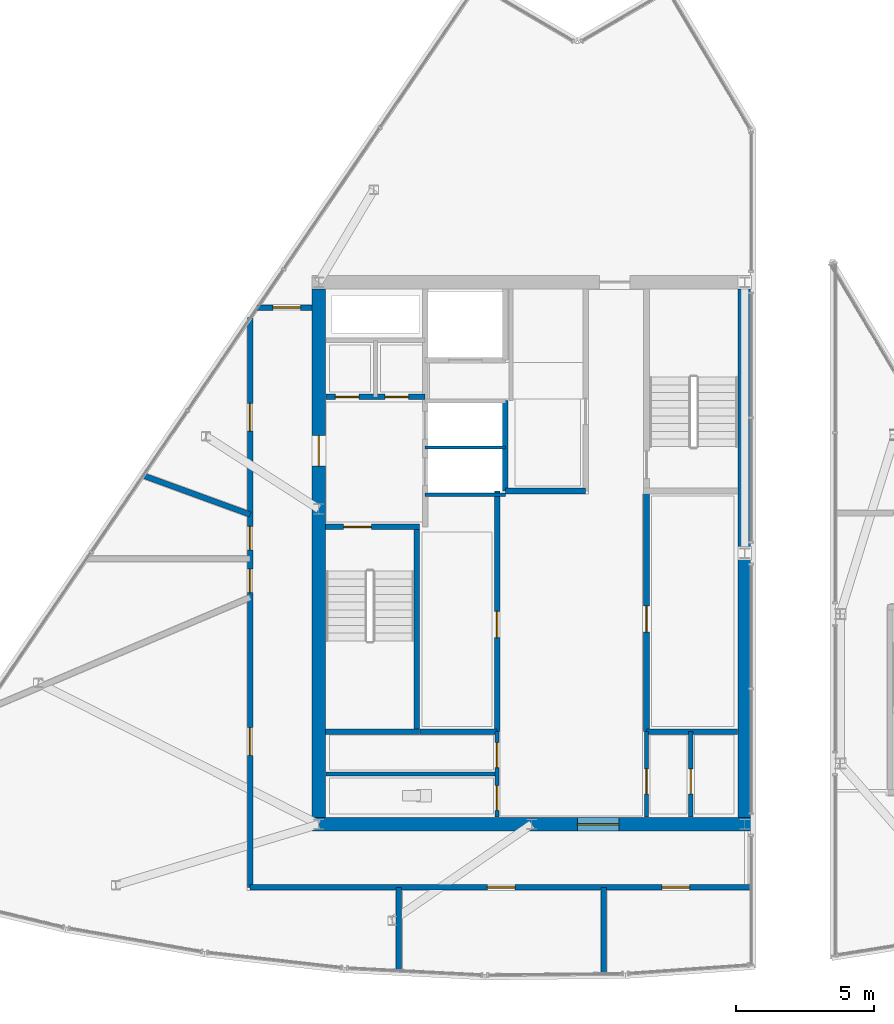
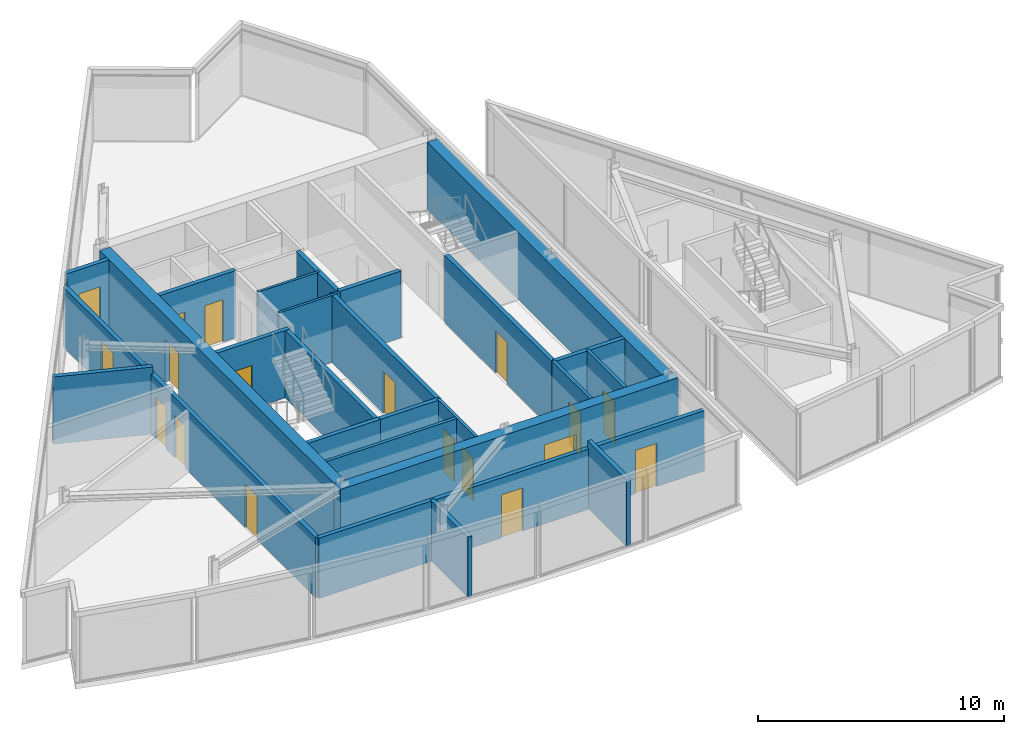
# One storey, part 9 of 15: 25 walls, 18 doors, 18 openings.
"""IFC4 building model written with IfcOpenShell, lengths in metres."""

from ifc_helpers import new_model, si_unit, direction, frame, frame_2d, origin, place, context, subcontext, project, spatial, rectangle, extrude, material, layer, layer_set, type_object, element, fill, save


model = new_model("IFC4")

# Units and contexts
model_context = context("Model", 3, precision=1e-05, world=origin(), true_north=direction((0.0, 1.0)))
body_context = subcontext(model_context, "Body", "Model", "MODEL_VIEW")
ifc_project = project(units=[si_unit("LENGTHUNIT", "METRE"), si_unit("AREAUNIT", "SQUARE_METRE"), si_unit("VOLUMEUNIT", "CUBIC_METRE"), si_unit("PLANEANGLEUNIT", "RADIAN"), si_unit("MASSUNIT", "GRAM", prefix="KILO")], contexts=[model_context])

# Site, building, storey
site_placement = place(None, origin())
site = spatial("IfcSite", under=ifc_project, at=site_placement, CompositionType="ELEMENT")
building_placement = place(site_placement, origin())
building = spatial("IfcBuilding", under=site, at=building_placement, Name="Savorim Split Tower", CompositionType="ELEMENT")
storey_placement = place(building_placement, frame((0.0, 0.0, 308.39990234375)))
storey = spatial("IfcBuildingStorey", under=building, at=storey_placement, Name="Crown L82 Plant", CompositionType="ELEMENT", Elevation=308.39990234375)

# Wall, opening, door
ifc_material_1 = material(Name="Concrete C60/75", Category="concrete")
ifc_layer_1 = layer(ifc_material_1, 0.5)
ifc_layer_set_1 = layer_set([ifc_layer_1], Name="WAL-COR-SH500")
wall_type_1 = type_object("IfcWallType", Name="WAL-COR-SH500", PredefinedType="SHEAR", material=ifc_layer_set_1)
wall_1_placement = place(storey_placement, frame((-7.949951171875, -9.39990234375, 0.0), z_axis=(0.0, 0.0, 1.0), x_axis=(1.0, 0.0, 0.0)))
wall_1 = element("IfcWall", 1, at=wall_1_placement, inside=storey, type_object=wall_type_1, Name="Crown L82 Plant Offset Core South Shear Wall", PredefinedType="SHEAR", context=body_context, shape_type="SweptSolid", body=[
    extrude(rectangle(XDim=15.89990234375, YDim=0.5, at=frame_2d((7.949951171875, 0.0))), origin(), (0.0, 0.0, 1.0), 3.340087890625),
])
opening_1_placement = place(wall_1_placement, frame((9.60009765625, 0.0, 0.0)))
opening_1 = element("IfcOpeningElement", 2, at=opening_1_placement, cuts=wall_1, Name="Opening DI-02", PredefinedType="OPENING", context=body_context, shape_type="SweptSolid", body=[
    extrude(rectangle(XDim=1.5, YDim=2.199951171875, at=frame_2d((0.75, 1.10009765625))), frame((0.0, 0.260009765625, 0.0), z_axis=(0.0, -1.0, 0.0), x_axis=(1.0, 0.0, 0.0)), (0.0, 0.0, 1.0), 0.52001953125),
])
ifc_material_2 = material(Name="Timber Fire Door Leaf", Category="wood")
door_type_1 = type_object("IfcDoorType", Name="DOR-DBL-1500", OperationType="NOTDEFINED", PredefinedType="DOOR", material=ifc_material_2)
door_1_placement = place(opening_1_placement, origin())
door_1 = element("IfcDoor", 3, at=door_1_placement, inside=storey, type_object=door_type_1, Name="DOR-Crown-L82-Plant-COR-LLOB - Crown L82 Plant Lift Lobby Main Rated Door", OperationType="DOUBLE_DOOR_SINGLE_SWING", OverallHeight=2.199951171875, OverallWidth=1.5, PredefinedType="DOOR", context=body_context, shape_type="SweptSolid", body=[
    extrude(rectangle(XDim=1.5, YDim=2.199951171875, at=frame_2d((0.75, 1.10009765625))), frame((0.0, 0.02490234375, 0.0), z_axis=(0.0, -1.0, 0.0), x_axis=(1.0, 0.0, 0.0)), (0.0, 0.0, 1.0), 0.050048828125),
])
fill(opening_1, door_1)

wall_2_placement = place(storey_placement, frame((-7.699951171875, -9.14990234375, 0.0), z_axis=(0.0, 0.0, 1.0), x_axis=(0.0, 1.0, 0.0)))
wall_2 = element("IfcWall", 4, at=wall_2_placement, inside=storey, type_object=wall_type_1, Name="Crown L82 Plant Offset Core West Shear Wall", PredefinedType="SHEAR", context=body_context, shape_type="SweptSolid", body=[
    extrude(rectangle(XDim=19.099853515625, YDim=0.5, at=frame_2d((9.5498046875, 0.0))), origin(), (0.0, 0.0, 1.0), 3.340087890625),
])
opening_2_placement = place(wall_2_placement, frame((12.699951171875, 0.0, 0.0)))
opening_2 = element("IfcOpeningElement", 5, at=opening_2_placement, cuts=wall_2, Name="Opening DI-03", PredefinedType="OPENING", context=body_context, shape_type="SweptSolid", body=[
    extrude(rectangle(XDim=1.10009765625, YDim=2.14990234375, at=frame_2d((0.550048828125, 1.074951171875))), frame((0.0, 0.260009765625, 0.0), z_axis=(0.0, -1.0, 0.0), x_axis=(1.0, 0.0, 0.0)), (0.0, 0.0, 1.0), 0.52001953125),
])
door_type_2 = type_object("IfcDoorType", Name="DOR-FIR-1100", OperationType="NOTDEFINED", PredefinedType="DOOR", material=ifc_material_2)
door_2_placement = place(opening_2_placement, origin())
door_2 = element("IfcDoor", 6, at=door_2_placement, inside=storey, type_object=door_type_2, Name="DOR-Crown-L82-Plant-COR-FFLOB - Crown L82 Plant Firefighting Lobby Corridor Door", OperationType="SINGLE_SWING_RIGHT", OverallHeight=2.14990234375, OverallWidth=1.10009765625, PredefinedType="DOOR", context=body_context, shape_type="SweptSolid", body=[
    extrude(rectangle(XDim=1.10009765625, YDim=2.14990234375, at=frame_2d((0.550048828125, 1.074951171875))), frame((0.0, 0.02490234375, 0.0), z_axis=(0.0, -1.0, 0.0), x_axis=(1.0, 0.0, 0.0)), (0.0, 0.0, 1.0), 0.050048828125),
])
fill(opening_2, door_2)

# Wall
wall_3_placement = place(storey_placement, frame((7.699951171875, 9.949951171875, 0.0), z_axis=(0.0, 0.0, 1.0), x_axis=(0.0, -1.0, 0.0)))
element("IfcWall", 7, at=wall_3_placement, inside=storey, type_object=wall_type_1, Name="Crown L82 Plant Offset Core East Shear Wall", PredefinedType="SHEAR", context=body_context, shape_type="SweptSolid", body=[
    extrude(rectangle(XDim=19.099853515625, YDim=0.5, at=frame_2d((9.5498046875, 0.0))), origin(), (0.0, 0.0, 1.0), 3.340087890625),
])

# Wall, opening, door
ifc_material_3 = material(Name="Concrete C50/60", Category="concrete")
ifc_layer_2 = layer(ifc_material_3, 0.199951171875)
ifc_layer_set_2 = layer_set([ifc_layer_2], Name="WAL-INT-RC200")
wall_type_2 = type_object("IfcWallType", Name="WAL-INT-RC200", PredefinedType="SOLIDWALL", material=ifc_layer_set_2)
wall_4_placement = place(storey_placement, frame((-7.449951171875, 1.35009765625, 0.0), z_axis=(0.0, 0.0, 1.0), x_axis=(1.0, 0.0, 0.0)))
wall_4 = element("IfcWall", 8, at=wall_4_placement, inside=storey, type_object=wall_type_2, Name="Crown L82 Plant Structural Shaft Wall W-Crown-L82-Plant-CR01", PredefinedType="SOLIDWALL", context=body_context, shape_type="SweptSolid", body=[
    extrude(rectangle(XDim=3.39990234375, YDim=0.199951171875, at=frame_2d((1.699951171875, 0.0))), origin(), (0.0, 0.0, 1.0), 3.340087890625),
])
opening_3_placement = place(wall_4_placement, frame((0.64990234375, 0.0, 0.0)))
opening_3 = element("IfcOpeningElement", 9, at=opening_3_placement, cuts=wall_4, Name="Opening DI-04", PredefinedType="OPENING", context=body_context, shape_type="SweptSolid", body=[
    extrude(rectangle(XDim=1.0, YDim=2.14990234375, at=frame_2d((0.5, 1.074951171875))), frame((0.0, 0.10986328125, 0.0), z_axis=(0.0, -1.0, 0.0), x_axis=(1.0, 0.0, 0.0)), (0.0, 0.0, 1.0), 0.219970703125),
])
door_type_3 = type_object("IfcDoorType", Name="DOR-FIR-1000", OperationType="NOTDEFINED", PredefinedType="DOOR", material=ifc_material_2)
door_3_placement = place(opening_3_placement, origin())
door_3 = element("IfcDoor", 10, at=door_3_placement, inside=storey, type_object=door_type_3, Name="DR-Crown-L82-Plant-ST1 - Crown L82 Plant Stair ST-1 Enclosure Door", OperationType="SINGLE_SWING_LEFT", OverallHeight=2.14990234375, OverallWidth=1.0, PredefinedType="DOOR", context=body_context, shape_type="SweptSolid", body=[
    extrude(rectangle(XDim=1.0, YDim=2.14990234375, at=frame_2d((0.5, 1.074951171875))), frame((0.0, 0.02490234375, 0.0), z_axis=(0.0, -1.0, 0.0), x_axis=(1.0, 0.0, 0.0)), (0.0, 0.0, 1.0), 0.050048828125),
])
fill(opening_3, door_3)

# Wall
wall_5_placement = place(storey_placement, frame((-4.14990234375, -5.949951171875, 0.0), z_axis=(0.0, 0.0, 1.0), x_axis=(0.0, 1.0, 0.0)))
element("IfcWall", 11, at=wall_5_placement, inside=storey, type_object=wall_type_2, Name="Crown L82 Plant Structural Shaft Wall W-Crown-L82-Plant-CR02", PredefinedType="SOLIDWALL", context=body_context, shape_type="SweptSolid", body=[
    extrude(rectangle(XDim=7.199951171875, YDim=0.199951171875, at=frame_2d((3.60009765625, 0.0))), origin(), (0.0, 0.0, 1.0), 3.340087890625),
])

# Wall, openings, doors
wall_6_placement = place(storey_placement, frame((-7.445068359375, 6.050048828125, 0.0), z_axis=(0.0, 0.0, 1.0), x_axis=(1.0, 0.0, 0.0)))
wall_6 = element("IfcWall", 12, at=wall_6_placement, inside=storey, type_object=wall_type_2, Name="Crown L82 Plant Partition W-Crown-L82-Plant-CR04", PredefinedType="SOLIDWALL", context=body_context, shape_type="SweptSolid", body=[
    extrude(rectangle(XDim=3.594970703125, YDim=0.199951171875, at=frame_2d((1.79736328125, 0.0))), origin(), (0.0, 0.0, 1.0), 3.340087890625),
])
opening_4_placement = place(wall_6_placement, frame((0.344970703125, 0.0, 0.0)))
opening_4 = element("IfcOpeningElement", 13, at=opening_4_placement, cuts=wall_6, Name="Opening DI-12", PredefinedType="OPENING", context=body_context, shape_type="SweptSolid", body=[
    extrude(rectangle(XDim=0.85009765625, YDim=2.10009765625, at=frame_2d((0.425048828125, 1.050048828125))), frame((0.0, 0.10986328125, 0.0), z_axis=(0.0, -1.0, 0.0), x_axis=(1.0, 0.0, 0.0)), (0.0, 0.0, 1.0), 0.219970703125),
])
opening_5_placement = place(wall_6_placement, frame((2.14501953125, 0.0, 0.0)))
opening_5 = element("IfcOpeningElement", 14, at=opening_5_placement, cuts=wall_6, Name="Opening DI-12", PredefinedType="OPENING", context=body_context, shape_type="SweptSolid", body=[
    extrude(rectangle(XDim=0.85009765625, YDim=2.10009765625, at=frame_2d((0.425048828125, 1.050048828125))), frame((0.0, 0.10986328125, 0.0), z_axis=(0.0, -1.0, 0.0), x_axis=(1.0, 0.0, 0.0)), (0.0, 0.0, 1.0), 0.219970703125),
])
ifc_material_4 = material(Name="Galvanised Painted Steel Balustrade", Category="steel")
door_type_4 = type_object("IfcDoorType", Name="DOR-RIS-850", OperationType="NOTDEFINED", PredefinedType="DOOR", material=ifc_material_4)
door_4_placement = place(opening_4_placement, origin())
door_4 = element("IfcDoor", 15, at=door_4_placement, inside=storey, type_object=door_type_4, Name="DR-Crown-L82-Plant-ELR - Crown L82 Plant Electrical Riser Access Door", OperationType="SINGLE_SWING_RIGHT", OverallHeight=2.10009765625, OverallWidth=0.85009765625, PredefinedType="DOOR", context=body_context, shape_type="SweptSolid", body=[
    extrude(rectangle(XDim=0.85009765625, YDim=2.10009765625, at=frame_2d((0.425048828125, 1.050048828125))), frame((0.0, 0.02490234375, 0.0), z_axis=(0.0, -1.0, 0.0), x_axis=(1.0, 0.0, 0.0)), (0.0, 0.0, 1.0), 0.050048828125),
])
fill(opening_4, door_4)
door_5_placement = place(opening_5_placement, origin())
door_5 = element("IfcDoor", 16, at=door_5_placement, inside=storey, type_object=door_type_4, Name="DR-Crown-L82-Plant-TLR - Crown L82 Plant Telecom Riser Access Door", OperationType="SINGLE_SWING_LEFT", OverallHeight=2.10009765625, OverallWidth=0.85009765625, PredefinedType="DOOR", context=body_context, shape_type="SweptSolid", body=[
    extrude(rectangle(XDim=0.85009765625, YDim=2.10009765625, at=frame_2d((0.425048828125, 1.050048828125))), frame((0.0, 0.02490234375, 0.0), z_axis=(0.0, -1.0, 0.0), x_axis=(1.0, 0.0, 0.0)), (0.0, 0.0, 1.0), 0.050048828125),
])
fill(opening_5, door_5)

# Wall
wall_7_placement = place(storey_placement, frame((-0.949951171875, 2.64990234375, 0.0), z_axis=(0.0, 0.0, 1.0), x_axis=(0.0, 1.0, 0.0)))
element("IfcWall", 17, at=wall_7_placement, inside=storey, type_object=wall_type_2, Name="Crown L82 Plant Partition W-Crown-L82-Plant-FFLW", PredefinedType="SOLIDWALL", context=body_context, shape_type="SweptSolid", body=[
    extrude(rectangle(XDim=3.27001953125, YDim=0.199951171875, at=frame_2d((1.635009765625, 0.0))), origin(), (0.0, 0.0, 1.0), 3.340087890625),
])

# Wall, opening, door
wall_8_placement = place(storey_placement, frame((4.14990234375, -6.050048828125, 0.0), z_axis=(0.0, 0.0, 1.0), x_axis=(0.0, 1.0, 0.0)))
wall_8 = element("IfcWall", 18, at=wall_8_placement, inside=storey, type_object=wall_type_2, Name="Crown L82 Plant Partition W-Crown-L82-Plant-B1FRONT", PredefinedType="SOLIDWALL", context=body_context, shape_type="SweptSolid", body=[
    extrude(rectangle(XDim=8.699951171875, YDim=0.199951171875, at=frame_2d((4.35009765625, 0.0))), origin(), (0.0, 0.0, 1.0), 3.340087890625),
])
opening_6_placement = place(wall_8_placement, frame((3.60009765625, 0.0, 0.0)))
opening_6 = element("IfcOpeningElement", 19, at=opening_6_placement, cuts=wall_8, Name="Opening DI-05", PredefinedType="OPENING", context=body_context, shape_type="SweptSolid", body=[
    extrude(rectangle(XDim=0.949951171875, YDim=2.10009765625, at=frame_2d((0.47509765625, 1.050048828125))), frame((0.0, 0.10986328125, 0.0), z_axis=(0.0, -1.0, 0.0), x_axis=(1.0, 0.0, 0.0)), (0.0, 0.0, 1.0), 0.219970703125),
])
door_type_5 = type_object("IfcDoorType", Name="DOR-FIR-950", OperationType="NOTDEFINED", PredefinedType="DOOR", material=ifc_material_2)
door_6_placement = place(opening_6_placement, origin())
door_6 = element("IfcDoor", 20, at=door_6_placement, inside=storey, type_object=door_type_5, Name="DR-Crown-L82-Plant-B1SUB - Crown L82 Plant Core Store East Door", OperationType="SINGLE_SWING_RIGHT", OverallHeight=2.10009765625, OverallWidth=0.949951171875, PredefinedType="DOOR", context=body_context, shape_type="SweptSolid", body=[
    extrude(rectangle(XDim=0.949951171875, YDim=2.10009765625, at=frame_2d((0.47509765625, 1.050048828125))), frame((0.0, 0.02490234375, 0.0), z_axis=(0.0, -1.0, 0.0), x_axis=(1.0, 0.0, 0.0)), (0.0, 0.0, 1.0), 0.050048828125),
])
fill(opening_6, door_6)

wall_9_placement = place(storey_placement, frame((-1.25, -6.050048828125, 0.0), z_axis=(0.0, 0.0, 1.0), x_axis=(0.0, 1.0, 0.0)))
wall_9 = element("IfcWall", 21, at=wall_9_placement, inside=storey, type_object=wall_type_2, Name="Crown L82 Plant Partition W-Crown-L82-Plant-B2FRONT", PredefinedType="SOLIDWALL", context=body_context, shape_type="SweptSolid", body=[
    extrude(rectangle(XDim=8.699951171875, YDim=0.199951171875, at=frame_2d((4.35009765625, 0.0))), origin(), (0.0, 0.0, 1.0), 3.340087890625),
])
opening_7_placement = place(wall_9_placement, frame((3.39990234375, 0.0, 0.0)))
opening_7 = element("IfcOpeningElement", 22, at=opening_7_placement, cuts=wall_9, Name="Opening DI-05", PredefinedType="OPENING", context=body_context, shape_type="SweptSolid", body=[
    extrude(rectangle(XDim=0.949951171875, YDim=2.10009765625, at=frame_2d((0.47509765625, 1.050048828125))), frame((0.0, 0.10986328125, 0.0), z_axis=(0.0, -1.0, 0.0), x_axis=(1.0, 0.0, 0.0)), (0.0, 0.0, 1.0), 0.219970703125),
])
door_7_placement = place(opening_7_placement, origin())
door_7 = element("IfcDoor", 23, at=door_7_placement, inside=storey, type_object=door_type_5, Name="DR-Crown-L82-Plant-B2SUB - Crown L82 Plant Core Store West Door", OperationType="SINGLE_SWING_LEFT", OverallHeight=2.10009765625, OverallWidth=0.949951171875, PredefinedType="DOOR", context=body_context, shape_type="SweptSolid", body=[
    extrude(rectangle(XDim=0.949951171875, YDim=2.10009765625, at=frame_2d((0.47509765625, 1.050048828125))), frame((0.0, 0.02490234375, 0.0), z_axis=(0.0, -1.0, 0.0), x_axis=(1.0, 0.0, 0.0)), (0.0, 0.0, 1.0), 0.050048828125),
])
fill(opening_7, door_7)

# Walls
wall_10_placement = place(storey_placement, frame((-0.949951171875, 2.64990234375, 0.0), z_axis=(0.0, 0.0, 1.0), x_axis=(1.0, 0.0, 0.0)))
element("IfcWall", 24, at=wall_10_placement, inside=storey, type_object=wall_type_2, Name="Crown L82 Plant Partition W-Crown-L82-Plant-B3SOUTH", PredefinedType="SOLIDWALL", context=body_context, shape_type="SweptSolid", body=[
    extrude(rectangle(XDim=2.89990234375, YDim=0.199951171875, at=frame_2d((1.449951171875, 0.0))), origin(), (0.0, 0.0, 1.0), 3.340087890625),
])
wall_11_placement = place(storey_placement, frame((-7.449951171875, -6.050048828125, 0.0), z_axis=(0.0, 0.0, 1.0), x_axis=(1.0, 0.0, 0.0)))
element("IfcWall", 25, at=wall_11_placement, inside=storey, type_object=wall_type_2, Name="Crown L82 Plant Structural Shaft Wall W-Crown-L82-Plant-KSEP-W", PredefinedType="SOLIDWALL", context=body_context, shape_type="SweptSolid", body=[
    extrude(rectangle(XDim=3.39990234375, YDim=0.199951171875, at=frame_2d((1.699951171875, 0.0))), origin(), (0.0, 0.0, 1.0), 3.340087890625),
])
wall_12_placement = place(storey_placement, frame((-4.0400390625, -6.050048828125, 0.0), z_axis=(0.0, 0.0, 1.0), x_axis=(1.0, 0.0, 0.0)))
element("IfcWall", 26, at=wall_12_placement, inside=storey, type_object=wall_type_2, Name="Crown L82 Plant Partition W-Crown-L82-Plant-KSEP-W2", PredefinedType="SOLIDWALL", context=body_context, shape_type="SweptSolid", body=[
    extrude(rectangle(XDim=2.7900390625, YDim=0.199951171875, at=frame_2d((1.39501953125, 0.0))), origin(), (0.0, 0.0, 1.0), 3.340087890625),
])
wall_13_placement = place(storey_placement, frame((4.14990234375, -6.050048828125, 0.0), z_axis=(0.0, 0.0, 1.0), x_axis=(1.0, 0.0, 0.0)))
element("IfcWall", 27, at=wall_13_placement, inside=storey, type_object=wall_type_2, Name="Crown L82 Plant Partition W-Crown-L82-Plant-KSEP-E", PredefinedType="SOLIDWALL", context=body_context, shape_type="SweptSolid", body=[
    extrude(rectangle(XDim=3.295166015625, YDim=0.199951171875, at=frame_2d((1.6474609375, 0.0))), origin(), (0.0, 0.0, 1.0), 3.340087890625),
])

# Wall, openings, doors
wall_14_placement = place(storey_placement, frame((-10.179931640625, -11.679931640625, 0.0), z_axis=(0.0, 0.0, 1.0), x_axis=(0.0, 1.0, 0.0)))
wall_14 = element("IfcWall", 28, at=wall_14_placement, inside=storey, type_object=wall_type_2, Name="Crown L82 Plant Partition W-Crown-L82-Plant-CWPC1", PredefinedType="SOLIDWALL", context=body_context, shape_type="SweptSolid", body=[
    extrude(rectangle(XDim=20.59521484375, YDim=0.199951171875, at=frame_2d((10.297607421875, 0.0))), origin(), (0.0, 0.0, 1.0), 2.9951171875),
])
opening_8_placement = place(wall_14_placement, frame((10.65966796875, 0.0, 0.0)))
opening_8 = element("IfcOpeningElement", 29, at=opening_8_placement, cuts=wall_14, Name="Opening DI-12", PredefinedType="OPENING", context=body_context, shape_type="SweptSolid", body=[
    extrude(rectangle(XDim=0.85009765625, YDim=2.10009765625, at=frame_2d((0.425048828125, 1.050048828125))), frame((0.0, 0.10986328125, 0.0), z_axis=(0.0, -1.0, 0.0), x_axis=(1.0, 0.0, 0.0)), (0.0, 0.0, 1.0), 0.219970703125),
])
opening_9_placement = place(wall_14_placement, frame((4.775634765625, 0.0, 0.0)))
opening_9 = element("IfcOpeningElement", 30, at=opening_9_placement, cuts=wall_14, Name="Opening DI-04", PredefinedType="OPENING", context=body_context, shape_type="SweptSolid", body=[
    extrude(rectangle(XDim=1.0, YDim=2.14990234375, at=frame_2d((0.5, 1.074951171875))), frame((0.0, 0.10986328125, 0.0), z_axis=(0.0, -1.0, 0.0), x_axis=(1.0, 0.0, 0.0)), (0.0, 0.0, 1.0), 0.219970703125),
])
opening_10_placement = place(wall_14_placement, frame((16.4970703125, 0.0, 0.0)))
opening_10 = element("IfcOpeningElement", 31, at=opening_10_placement, cuts=wall_14, Name="Opening DI-04", PredefinedType="OPENING", context=body_context, shape_type="SweptSolid", body=[
    extrude(rectangle(XDim=1.0, YDim=2.14990234375, at=frame_2d((0.5, 1.074951171875))), frame((0.0, 0.10986328125, 0.0), z_axis=(0.0, -1.0, 0.0), x_axis=(1.0, 0.0, 0.0)), (0.0, 0.0, 1.0), 0.219970703125),
])
opening_11_placement = place(wall_14_placement, frame((12.1982421875, 0.0, 0.0)))
opening_11 = element("IfcOpeningElement", 32, at=opening_11_placement, cuts=wall_14, Name="Opening DI-12", PredefinedType="OPENING", context=body_context, shape_type="SweptSolid", body=[
    extrude(rectangle(XDim=0.85009765625, YDim=2.10009765625, at=frame_2d((0.425048828125, 1.050048828125))), frame((0.0, 0.10986328125, 0.0), z_axis=(0.0, -1.0, 0.0), x_axis=(1.0, 0.0, 0.0)), (0.0, 0.0, 1.0), 0.219970703125),
])
door_8_placement = place(opening_9_placement, origin())
door_8 = element("IfcDoor", 33, at=door_8_placement, inside=storey, type_object=door_type_3, Name="DR-Crown-L82-Plant-RM02 - Crown L82 Plant Chiller Plant Room Entry Door", OperationType="SINGLE_SWING_LEFT", OverallHeight=2.14990234375, OverallWidth=1.0, PredefinedType="DOOR", context=body_context, shape_type="SweptSolid", body=[
    extrude(rectangle(XDim=1.0, YDim=2.14990234375, at=frame_2d((0.5, 1.074951171875))), frame((0.0, 0.02490234375, 0.0), z_axis=(0.0, -1.0, 0.0), x_axis=(1.0, 0.0, 0.0)), (0.0, 0.0, 1.0), 0.050048828125),
])
fill(opening_9, door_8)
door_9_placement = place(opening_10_placement, origin())
door_9 = element("IfcDoor", 34, at=door_9_placement, inside=storey, type_object=door_type_3, Name="DR-Crown-L82-Plant-RM06 - Crown L82 Plant HV Switchgear Plant Room Entry Door", OperationType="SINGLE_SWING_LEFT", OverallHeight=2.14990234375, OverallWidth=1.0, PredefinedType="DOOR", context=body_context, shape_type="SweptSolid", body=[
    extrude(rectangle(XDim=1.0, YDim=2.14990234375, at=frame_2d((0.5, 1.074951171875))), frame((0.0, 0.02490234375, 0.0), z_axis=(0.0, -1.0, 0.0), x_axis=(1.0, 0.0, 0.0)), (0.0, 0.0, 1.0), 0.050048828125),
])
fill(opening_10, door_9)
door_10_placement = place(opening_8_placement, origin())
door_10 = element("IfcDoor", 35, at=door_10_placement, inside=storey, type_object=door_type_4, Name="DR-Crown-L82-Plant-RM01 - Crown L82 Plant AHU Mechanical Plant Room Entry Door", OperationType="SINGLE_SWING_RIGHT", OverallHeight=2.10009765625, OverallWidth=0.85009765625, PredefinedType="DOOR", context=body_context, shape_type="SweptSolid", body=[
    extrude(rectangle(XDim=0.85009765625, YDim=2.10009765625, at=frame_2d((0.425048828125, 1.050048828125))), frame((0.0, 0.02490234375, 0.0), z_axis=(0.0, -1.0, 0.0), x_axis=(1.0, 0.0, 0.0)), (0.0, 0.0, 1.0), 0.050048828125),
])
fill(opening_8, door_10)
door_11_placement = place(opening_11_placement, origin())
door_11 = element("IfcDoor", 36, at=door_11_placement, inside=storey, type_object=door_type_4, Name="DR-Crown-L82-Plant-RM07 - Crown L82 Plant AHU Mechanical Plant Room Entry Door", OperationType="SINGLE_SWING_RIGHT", OverallHeight=2.10009765625, OverallWidth=0.85009765625, PredefinedType="DOOR", context=body_context, shape_type="SweptSolid", body=[
    extrude(rectangle(XDim=0.85009765625, YDim=2.10009765625, at=frame_2d((0.425048828125, 1.050048828125))), frame((0.0, 0.02490234375, 0.0), z_axis=(0.0, -1.0, 0.0), x_axis=(1.0, 0.0, 0.0)), (0.0, 0.0, 1.0), 0.050048828125),
])
fill(opening_11, door_11)

wall_15_placement = place(storey_placement, frame((-10.179931640625, -11.679931640625, 0.0), z_axis=(0.0, 0.0, 1.0), x_axis=(1.0, 0.0, 0.0)))
wall_15 = element("IfcWall", 37, at=wall_15_placement, inside=storey, type_object=wall_type_2, Name="Crown L82 Plant Partition W-Crown-L82-Plant-CWPC2", PredefinedType="SOLIDWALL", context=body_context, shape_type="SweptSolid", body=[
    extrude(rectangle(XDim=18.1298828125, YDim=0.199951171875, at=frame_2d((9.06494140625, 0.0))), origin(), (0.0, 0.0, 1.0), 2.9951171875),
])
opening_12_placement = place(wall_15_placement, frame((8.580078125, 0.0, 0.0)))
opening_12 = element("IfcOpeningElement", 38, at=opening_12_placement, cuts=wall_15, Name="Opening DI-04", PredefinedType="OPENING", context=body_context, shape_type="SweptSolid", body=[
    extrude(rectangle(XDim=1.0, YDim=2.14990234375, at=frame_2d((0.5, 1.074951171875))), frame((0.0, 0.10986328125, 0.0), z_axis=(0.0, -1.0, 0.0), x_axis=(1.0, 0.0, 0.0)), (0.0, 0.0, 1.0), 0.219970703125),
])
opening_13_placement = place(wall_15_placement, frame((14.888671875, 0.0, 0.0)))
opening_13 = element("IfcOpeningElement", 39, at=opening_13_placement, cuts=wall_15, Name="Opening DI-04", PredefinedType="OPENING", context=body_context, shape_type="SweptSolid", body=[
    extrude(rectangle(XDim=1.0, YDim=2.14990234375, at=frame_2d((0.5, 1.074951171875))), frame((0.0, 0.10986328125, 0.0), z_axis=(0.0, -1.0, 0.0), x_axis=(1.0, 0.0, 0.0)), (0.0, 0.0, 1.0), 0.219970703125),
])
door_12_placement = place(opening_12_placement, origin())
door_12 = element("IfcDoor", 40, at=door_12_placement, inside=storey, type_object=door_type_3, Name="DR-Crown-L82-Plant-RM03 - Crown L82 Plant Booster Pump Plant Room Entry Door", OperationType="SINGLE_SWING_RIGHT", OverallHeight=2.14990234375, OverallWidth=1.0, PredefinedType="DOOR", context=body_context, shape_type="SweptSolid", body=[
    extrude(rectangle(XDim=1.0, YDim=2.14990234375, at=frame_2d((0.5, 1.074951171875))), frame((0.0, 0.02490234375, 0.0), z_axis=(0.0, -1.0, 0.0), x_axis=(1.0, 0.0, 0.0)), (0.0, 0.0, 1.0), 0.050048828125),
])
fill(opening_12, door_12)
door_13_placement = place(opening_13_placement, origin())
door_13 = element("IfcDoor", 41, at=door_13_placement, inside=storey, type_object=door_type_3, Name="DR-Crown-L82-Plant-RM04 - Crown L82 Plant Smoke Extract Fan Plant Room Entry Door", OperationType="SINGLE_SWING_LEFT", OverallHeight=2.14990234375, OverallWidth=1.0, PredefinedType="DOOR", context=body_context, shape_type="SweptSolid", body=[
    extrude(rectangle(XDim=1.0, YDim=2.14990234375, at=frame_2d((0.5, 1.074951171875))), frame((0.0, 0.02490234375, 0.0), z_axis=(0.0, -1.0, 0.0), x_axis=(1.0, 0.0, 0.0)), (0.0, 0.0, 1.0), 0.050048828125),
])
fill(opening_13, door_13)

# Wall, opening, door
wall_16_placement = place(storey_placement, frame((-9.931884765625, 9.280029296875, 0.0), z_axis=(0.0, 0.0, 1.0), x_axis=(1.0, 0.0, 0.0)))
wall_16 = element("IfcWall", 42, at=wall_16_placement, inside=storey, type_object=wall_type_2, Name="Crown L82 Plant Partition W-Crown-L82-Plant-CWPC3", PredefinedType="SOLIDWALL", context=body_context, shape_type="SweptSolid", body=[
    extrude(rectangle(XDim=1.98193359375, YDim=0.199951171875, at=frame_2d((0.990966796875, 0.0))), origin(), (0.0, 0.0, 1.0), 3.340087890625),
])
opening_14_placement = place(wall_16_placement, frame((0.575927734375, 0.0, 0.0)))
opening_14 = element("IfcOpeningElement", 43, at=opening_14_placement, cuts=wall_16, Name="Opening DI-04", PredefinedType="OPENING", context=body_context, shape_type="SweptSolid", body=[
    extrude(rectangle(XDim=1.0, YDim=2.14990234375, at=frame_2d((0.5, 1.074951171875))), frame((0.0, 0.10986328125, 0.0), z_axis=(0.0, -1.0, 0.0), x_axis=(1.0, 0.0, 0.0)), (0.0, 0.0, 1.0), 0.219970703125),
])
door_14_placement = place(opening_14_placement, origin())
door_14 = element("IfcDoor", 44, at=door_14_placement, inside=storey, type_object=door_type_3, Name="DR-Crown-L82-Plant-RM05 - Crown L82 Plant Heat Recovery Plant Room Entry Door", OperationType="SINGLE_SWING_RIGHT", OverallHeight=2.14990234375, OverallWidth=1.0, PredefinedType="DOOR", context=body_context, shape_type="SweptSolid", body=[
    extrude(rectangle(XDim=1.0, YDim=2.14990234375, at=frame_2d((0.5, 1.074951171875))), frame((0.0, 0.02490234375, 0.0), z_axis=(0.0, -1.0, 0.0), x_axis=(1.0, 0.0, 0.0)), (0.0, 0.0, 1.0), 0.050048828125),
])
fill(opening_14, door_14)

# Walls
wall_17_placement = place(storey_placement, frame((-14.058837890625, 3.21337890625, 0.0), z_axis=(0.0, 0.0, 1.0), x_axis=(0.939573947061, -0.342346020867, 0.0)))
element("IfcWall", 45, at=wall_17_placement, inside=storey, type_object=wall_type_2, Name="Crown L82 Plant Partition W-Crown-L82-Plant-CDIV2", PredefinedType="SOLIDWALL", context=body_context, shape_type="SweptSolid", body=[
    extrude(rectangle(XDim=4.12841796875, YDim=0.199951171875, at=frame_2d((2.064208984375, 0.0))), origin(), (0.0, 0.0, 1.0), 3.340087890625),
])
wall_18_placement = place(storey_placement, frame((-4.800048828125, -14.74560546875, 0.0), z_axis=(0.0, 0.0, 1.0), x_axis=(0.0, 1.0, 0.0)))
element("IfcWall", 46, at=wall_18_placement, inside=storey, type_object=wall_type_2, Name="Crown L82 Plant Partition W-Crown-L82-Plant-CDIVS1", PredefinedType="SOLIDWALL", context=body_context, shape_type="SweptSolid", body=[
    extrude(rectangle(XDim=3.065673828125, YDim=0.199951171875, at=frame_2d((1.53271484375, 0.0))), origin(), (0.0, 0.0, 1.0), 2.9951171875),
])
wall_19_placement = place(storey_placement, frame((2.60009765625, -14.842041015625, 0.0), z_axis=(0.0, 0.0, 1.0), x_axis=(0.0, 1.0, 0.0)))
element("IfcWall", 47, at=wall_19_placement, inside=storey, type_object=wall_type_2, Name="Crown L82 Plant Partition W-Crown-L82-Plant-CDIVS2", PredefinedType="SOLIDWALL", context=body_context, shape_type="SweptSolid", body=[
    extrude(rectangle(XDim=3.162109375, YDim=0.199951171875, at=frame_2d((1.5810546875, 0.0))), origin(), (0.0, 0.0, 1.0), 3.340087890625),
])
ifc_material_5 = material(Name="Acoustic Gypsum Partition Board")
ifc_layer_3 = layer(ifc_material_5, 0.1201171875)
ifc_layer_set_3 = layer_set([ifc_layer_3], Name="WAL-PAR-120")
wall_type_3 = type_object("IfcWallType", Name="WAL-PAR-120", PredefinedType="PARTITIONING", material=ifc_layer_set_3)
for number, where, z_axis, x_axis, name in (
    (48, (-3.85009765625, 2.52001953125, 0.0), (0.0, 0.0, 1.0), (1.0, 0.0, 0.0), "Crown L82 Plant Partition W-Crown-L82-Plant-FFLD0"),
    (49, (-3.85009765625, 4.219970703125, 0.0), (0.0, 0.0, 1.0), (1.0, 0.0, 0.0), "Crown L82 Plant Partition W-Crown-L82-Plant-FFLD1"),
):
    element("IfcWall", number, at=place(storey_placement, frame(where, z_axis=z_axis, x_axis=x_axis)), inside=storey, type_object=wall_type_3, Name=name, PredefinedType="PARTITIONING", context=body_context, shape_type="SweptSolid", body=[
        extrude(rectangle(XDim=2.900146484375, YDim=0.1201171875, at=frame_2d((1.4501953125, 0.0))), origin(), (0.0, 0.0, 1.0), 3.340087890625),
    ])

# Wall, openings, doors
ifc_layer_4 = layer(ifc_material_5, 0.14990234375)
ifc_layer_set_4 = layer_set([ifc_layer_4], Name="WAL-PAR-150")
wall_type_4 = type_object("IfcWallType", Name="WAL-PAR-150", PredefinedType="PARTITIONING", material=ifc_layer_set_4)
wall_20_placement = place(storey_placement, frame((-1.25, -9.14501953125, 0.0), z_axis=(0.0, 0.0, 1.0), x_axis=(0.0, 1.0, 0.0)))
wall_20 = element("IfcWall", 50, at=wall_20_placement, inside=storey, type_object=wall_type_4, Name="Crown L82 Plant Partition W-Crown-L82-Plant-KLOB-W", PredefinedType="PARTITIONING", context=body_context, shape_type="SweptSolid", body=[
    extrude(rectangle(XDim=3.094970703125, YDim=0.14990234375, at=frame_2d((1.54736328125, 0.0))), origin(), (0.0, 0.0, 1.0), 3.340087890625),
])
opening_15_placement = place(wall_20_placement, frame((1.794921875, 0.0, 0.0)))
opening_15 = element("IfcOpeningElement", 51, at=opening_15_placement, cuts=wall_20, Name="Opening DI-06", PredefinedType="OPENING", context=body_context, shape_type="SweptSolid", body=[
    extrude(rectangle(XDim=0.89990234375, YDim=2.10009765625, at=frame_2d((0.449951171875, 1.050048828125))), frame((0.0, 0.0849609375, 0.0), z_axis=(0.0, -1.0, 0.0), x_axis=(1.0, 0.0, 0.0)), (0.0, 0.0, 1.0), 0.169921875),
])
opening_16_placement = place(wall_20_placement, frame((0.2451171875, 0.0, 0.0)))
opening_16 = element("IfcOpeningElement", 52, at=opening_16_placement, cuts=wall_20, Name="Opening DI-11", PredefinedType="OPENING", context=body_context, shape_type="SweptSolid", body=[
    extrude(rectangle(XDim=0.89990234375, YDim=2.10009765625, at=frame_2d((0.449951171875, 1.050048828125))), frame((0.0, 0.0849609375, 0.0), z_axis=(0.0, -1.0, 0.0), x_axis=(1.0, 0.0, 0.0)), (0.0, 0.0, 1.0), 0.169921875),
])
door_type_6 = type_object("IfcDoorType", Name="DOR-FIR-900", OperationType="NOTDEFINED", PredefinedType="DOOR", material=ifc_material_2)
door_15_placement = place(opening_15_placement, origin())
door_15 = element("IfcDoor", 53, at=door_15_placement, inside=storey, type_object=door_type_6, Name="DR-Crown-L82-Plant-K2CLN - Crown L82 Plant Cleaning Store Door", OperationType="SINGLE_SWING_LEFT", OverallHeight=2.10009765625, OverallWidth=0.89990234375, PredefinedType="DOOR", context=body_context, shape_type="SweptSolid", body=[
    extrude(rectangle(XDim=0.89990234375, YDim=2.10009765625, at=frame_2d((0.449951171875, 1.050048828125))), frame((0.0, 0.02490234375, 0.0), z_axis=(0.0, -1.0, 0.0), x_axis=(1.0, 0.0, 0.0)), (0.0, 0.0, 1.0), 0.050048828125),
])
fill(opening_15, door_15)
ifc_material_6 = material(Name="Oak Veneer Acoustic Door")
door_type_7 = type_object("IfcDoorType", Name="DOR-WC-900", OperationType="NOTDEFINED", PredefinedType="DOOR", material=ifc_material_6)
door_16_placement = place(opening_16_placement, origin())
door_16 = element("IfcDoor", 54, at=door_16_placement, inside=storey, type_object=door_type_7, Name="DR-Crown-L82-Plant-K2WC - Crown L82 Plant Core WC Door", OperationType="SINGLE_SWING_RIGHT", OverallHeight=2.10009765625, OverallWidth=0.89990234375, PredefinedType="DOOR", context=body_context, shape_type="SweptSolid", body=[
    extrude(rectangle(XDim=0.89990234375, YDim=2.10009765625, at=frame_2d((0.449951171875, 1.050048828125))), frame((0.0, 0.02490234375, 0.0), z_axis=(0.0, -1.0, 0.0), x_axis=(1.0, 0.0, 0.0)), (0.0, 0.0, 1.0), 0.050048828125),
])
fill(opening_16, door_16)

# Wall, opening, door
wall_21_placement = place(storey_placement, frame((4.14990234375, -9.14501953125, 0.0), z_axis=(0.0, 0.0, 1.0), x_axis=(0.0, 1.0, 0.0)))
wall_21 = element("IfcWall", 55, at=wall_21_placement, inside=storey, type_object=wall_type_4, Name="Crown L82 Plant Partition W-Crown-L82-Plant-KLOB-E", PredefinedType="PARTITIONING", context=body_context, shape_type="SweptSolid", body=[
    extrude(rectangle(XDim=3.094970703125, YDim=0.14990234375, at=frame_2d((1.54736328125, 0.0))), origin(), (0.0, 0.0, 1.0), 3.340087890625),
])
opening_17_placement = place(wall_21_placement, frame((0.844970703125, 0.0, 0.0)))
opening_17 = element("IfcOpeningElement", 56, at=opening_17_placement, cuts=wall_21, Name="Opening DI-06", PredefinedType="OPENING", context=body_context, shape_type="SweptSolid", body=[
    extrude(rectangle(XDim=0.89990234375, YDim=2.10009765625, at=frame_2d((0.449951171875, 1.050048828125))), frame((0.0, 0.0849609375, 0.0), z_axis=(0.0, -1.0, 0.0), x_axis=(1.0, 0.0, 0.0)), (0.0, 0.0, 1.0), 0.169921875),
])
door_17_placement = place(opening_17_placement, origin())
door_17 = element("IfcDoor", 57, at=door_17_placement, inside=storey, type_object=door_type_6, Name="DR-Crown-L82-Plant-K2PAN - Crown L82 Plant Vending Pantry Door", OperationType="SINGLE_SWING_LEFT", OverallHeight=2.10009765625, OverallWidth=0.89990234375, PredefinedType="DOOR", context=body_context, shape_type="SweptSolid", body=[
    extrude(rectangle(XDim=0.89990234375, YDim=2.10009765625, at=frame_2d((0.449951171875, 1.050048828125))), frame((0.0, 0.02490234375, 0.0), z_axis=(0.0, -1.0, 0.0), x_axis=(1.0, 0.0, 0.0)), (0.0, 0.0, 1.0), 0.050048828125),
])
fill(opening_17, door_17)

# Wall
wall_22_placement = place(storey_placement, frame((-7.445068359375, -7.580078125, 0.0), z_axis=(0.0, 0.0, 1.0), x_axis=(1.0, 0.0, 0.0)))
element("IfcWall", 58, at=wall_22_placement, inside=storey, type_object=wall_type_4, Name="Crown L82 Plant Partition W-Crown-L82-Plant-K2H", PredefinedType="PARTITIONING", context=body_context, shape_type="SweptSolid", body=[
    extrude(rectangle(XDim=6.195068359375, YDim=0.14990234375, at=frame_2d((3.09765625, 0.0))), origin(), (0.0, 0.0, 1.0), 3.340087890625),
])

# Wall, opening, door
wall_23_placement = place(storey_placement, frame((5.75, -9.14501953125, 0.0), z_axis=(0.0, 0.0, 1.0), x_axis=(0.0, 1.0, 0.0)))
wall_23 = element("IfcWall", 59, at=wall_23_placement, inside=storey, type_object=wall_type_4, Name="Crown L82 Plant Partition W-Crown-L82-Plant-K2E", PredefinedType="PARTITIONING", context=body_context, shape_type="SweptSolid", body=[
    extrude(rectangle(XDim=3.094970703125, YDim=0.14990234375, at=frame_2d((1.54736328125, 0.0))), origin(), (0.0, 0.0, 1.0), 3.340087890625),
])
opening_18_placement = place(wall_23_placement, frame((0.844970703125, 0.0, 0.0)))
opening_18 = element("IfcOpeningElement", 60, at=opening_18_placement, cuts=wall_23, Name="Opening DI-06", PredefinedType="OPENING", context=body_context, shape_type="SweptSolid", body=[
    extrude(rectangle(XDim=0.89990234375, YDim=2.10009765625, at=frame_2d((0.449951171875, 1.050048828125))), frame((0.0, 0.0849609375, 0.0), z_axis=(0.0, -1.0, 0.0), x_axis=(1.0, 0.0, 0.0)), (0.0, 0.0, 1.0), 0.169921875),
])
door_18_placement = place(opening_18_placement, origin())
door_18 = element("IfcDoor", 61, at=door_18_placement, inside=storey, type_object=door_type_6, Name="DR-Crown-L82-Plant-K2REF - Crown L82 Plant Recycling Room Door", OperationType="SINGLE_SWING_RIGHT", OverallHeight=2.10009765625, OverallWidth=0.89990234375, PredefinedType="DOOR", context=body_context, shape_type="SweptSolid", body=[
    extrude(rectangle(XDim=0.89990234375, YDim=2.10009765625, at=frame_2d((0.449951171875, 1.050048828125))), frame((0.0, 0.02490234375, 0.0), z_axis=(0.0, -1.0, 0.0), x_axis=(1.0, 0.0, 0.0)), (0.0, 0.0, 1.0), 0.050048828125),
])
fill(opening_18, door_18)

save(model, "model.ifc")
